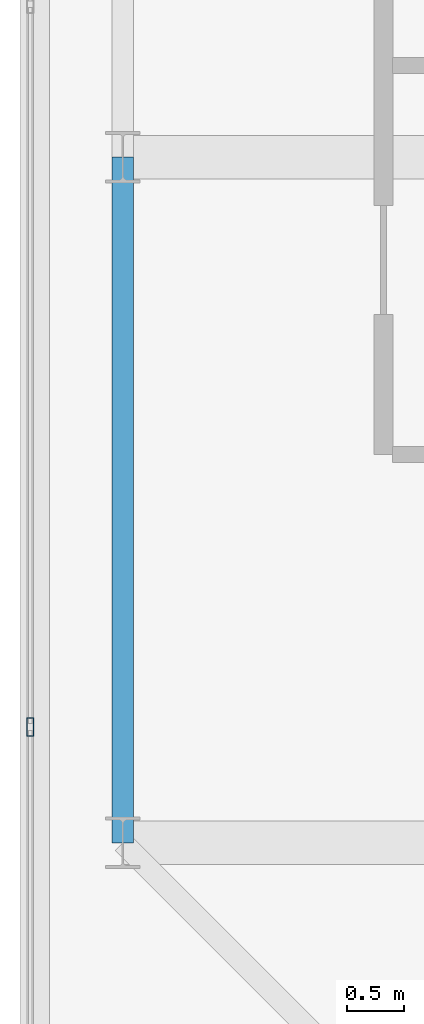
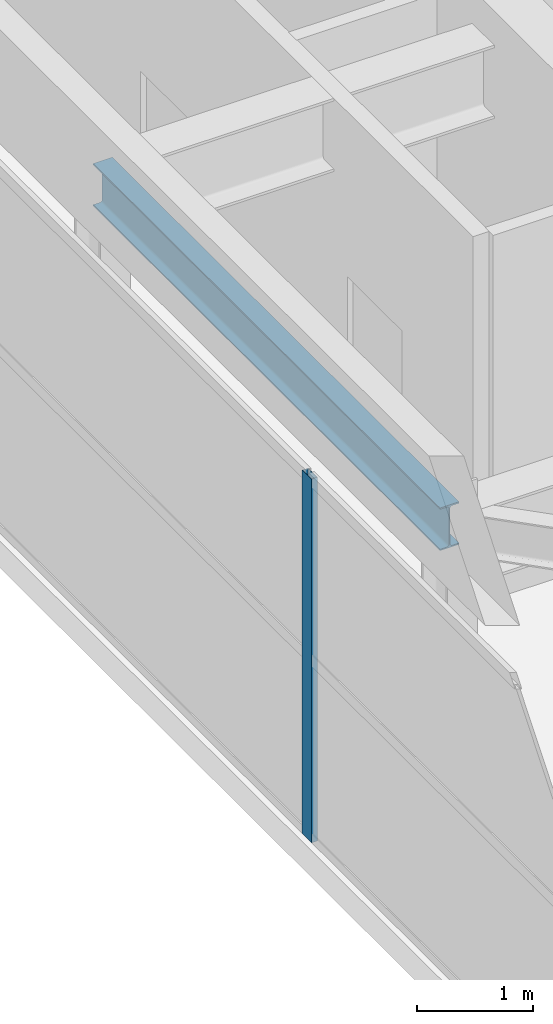
# One storey, part 5 of 33: 1 beam, 1 member, 1 element without a shape of its own.
"""IFC4 building model written with IfcOpenShell, lengths in metres."""

from ifc_helpers import new_model, si_unit, direction, frame, origin, origin_2d, place, context, subcontext, project, spatial, hollow_rectangle, i_section, extrude, source, transform, mapped, material, layer, layer_set, material_profile, profile_set, type_object, element, aggregate, save


model = new_model("IFC4")

# Units and contexts
model_context = context("Model", 3, precision=1e-05, world=origin(), true_north=direction((0.0, 1.0)))
body_context = subcontext(model_context, "Body", "Model", "MODEL_VIEW")
ifc_project = project(units=[si_unit("LENGTHUNIT", "METRE"), si_unit("AREAUNIT", "SQUARE_METRE"), si_unit("VOLUMEUNIT", "CUBIC_METRE"), si_unit("PLANEANGLEUNIT", "RADIAN"), si_unit("MASSUNIT", "GRAM", prefix="KILO")], contexts=[model_context])

# Site, building, storey
site_placement = place(None, origin())
site = spatial("IfcSite", under=ifc_project, at=site_placement, CompositionType="ELEMENT")
building_placement = place(site_placement, origin())
building = spatial("IfcBuilding", under=site, at=building_placement, Name="Khoralis Quay Care Tower", CompositionType="ELEMENT")
storey_placement = place(building_placement, frame((0.0, 0.0, 314.699951171875)))
storey = spatial("IfcBuildingStorey", under=building, at=storey_placement, Name="L82", CompositionType="ELEMENT", Elevation=314.699951171875)

# Beam
ifc_material_1 = material(Name="Steel S355", Category="steel")
ifc_material_profile_1 = material_profile(ifc_material_1, i_section(OverallWidth=0.18994140625, OverallDepth=0.449951171875, WebThickness=0.009521484375, FlangeThickness=0.0146484375, FilletRadius=0.02099609375, at=origin_2d()), Name="Steel S355")
ifc_profile_set_1 = profile_set([ifc_material_profile_1], Name="Steel S355")
beam_type = type_object("IfcBeamType", Name="BM-IPE450", PredefinedType="SPANDREL", material=ifc_profile_set_1)
shared_shape_1 = source(origin(), body_context, "Body", "SweptSolid", [
    extrude(i_section(OverallWidth=0.18994140625, OverallDepth=0.449951171875, WebThickness=0.009521484375, FlangeThickness=0.0146484375, FilletRadius=0.02099609375, at=origin_2d()), origin(), (0.0, 0.0, 1.0), 6.0),
])
beam_placement = place(storey_placement, frame((3.89990234375, 12.0, 3.614990234375), z_axis=(0.0, 1.0, 0.0), x_axis=(-1.0, 0.0, 0.0)))
element("IfcBeam", 1, at=beam_placement, inside=storey, type_object=beam_type, Name="BM-TSP-L82-09", PredefinedType="SPANDREL", context=body_context, shape_type="MappedRepresentation", body=[
    mapped(shared_shape_1, transform((0.0, 0.0, 0.0), scale=1.0)),
])

# Curtain wall, member
ifc_material_2 = material(Name="Pale anodised aluminium", Category="aluminium")
ifc_layer = layer(ifc_material_2, 0.199951171875)
ifc_layer_set = layer_set([ifc_layer], Name="Pale anodised aluminium")
curtain_wall_type = type_object("IfcCurtainWallType", Name="CW-SYS-LANTERN", PredefinedType="NOTDEFINED", material=ifc_layer_set)
curtain_wall_placement = place(storey_placement, origin())
curtain_wall = element("IfcCurtainWall", 2, at=curtain_wall_placement, inside=storey, type_object=curtain_wall_type, Name="L82 Unitised Curtain Wall CW-LN-L82-16", PredefinedType="NOTDEFINED")
ifc_material_profile_2 = material_profile(ifc_material_2, hollow_rectangle(XDim=0.06005859375, YDim=0.159912109375, WallThickness=0.00390625, at=origin_2d()), Name="Pale anodised aluminium")
ifc_profile_set_2 = profile_set([ifc_material_profile_2], Name="Pale anodised aluminium")
member_type = type_object("IfcMemberType", Name="CW-MUL-160", PredefinedType="MULLION", material=ifc_profile_set_2)
shared_shape_2 = source(origin(), body_context, "Body", "SweptSolid", [
    extrude(hollow_rectangle(XDim=0.06005859375, YDim=0.159912109375, WallThickness=0.00390625, at=origin_2d()), origin(), (0.0, 0.0, 1.0), 3.840087890625),
])
member_placement = place(storey_placement, frame((3.090087890625, 13.013916015625, 0.0), z_axis=(0.0, 0.0, 1.0), x_axis=(1.0, 0.0, 0.0)))
member = element("IfcMember", 3, at=member_placement, type_object=member_type, Name="CW5 mullion 5", PredefinedType="MULLION", context=body_context, shape_type="MappedRepresentation", body=[
    mapped(shared_shape_2, transform((0.0, 0.0, 0.0), scale=1.0)),
])
aggregate(curtain_wall, [member])

save(model, "model.ifc")
